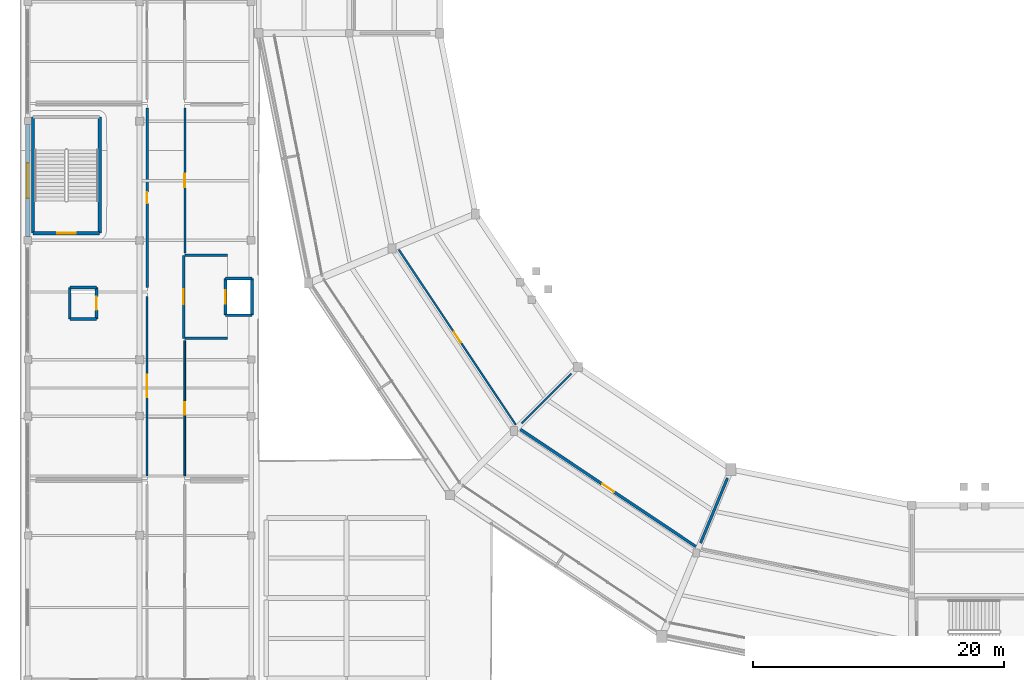
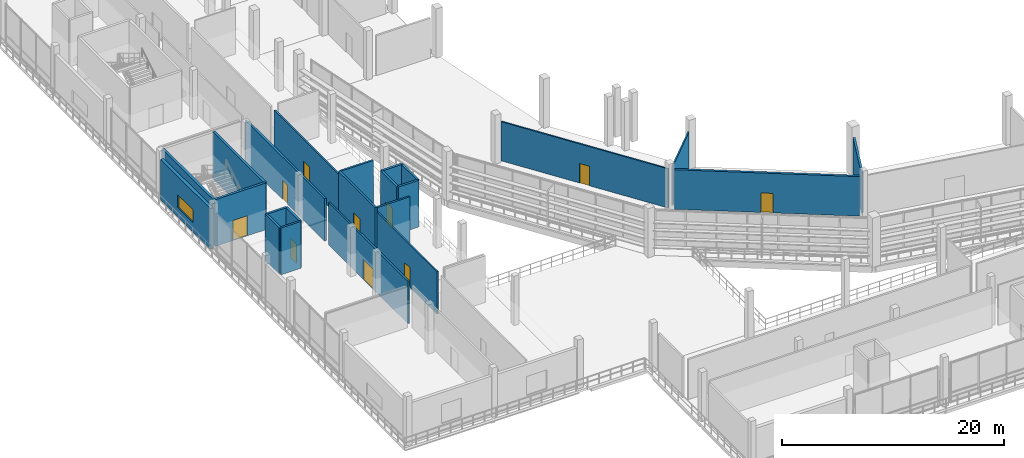
# One storey, part 70 of 111: 23 walls, 10 doors, 1 window, 11 openings.
"""IFC4 building model written with IfcOpenShell, lengths in metres."""

from ifc_helpers import new_model, si_unit, direction, frame, frame_2d, origin, place, context, subcontext, project, spatial, rectangle, extrude, material, layer, layer_set, type_object, element, fill, save


model = new_model("IFC4")

# Units and contexts
model_context = context("Model", 3, precision=1e-05, world=origin(), true_north=direction((0.0, 1.0)))
body_context = subcontext(model_context, "Body", "Model", "MODEL_VIEW")
ifc_project = project(units=[si_unit("LENGTHUNIT", "METRE"), si_unit("AREAUNIT", "SQUARE_METRE"), si_unit("VOLUMEUNIT", "CUBIC_METRE"), si_unit("PLANEANGLEUNIT", "RADIAN"), si_unit("MASSUNIT", "GRAM", prefix="KILO")], contexts=[model_context])

# Site, building, storey
site_placement = place(None, origin())
site = spatial("IfcSite", under=ifc_project, at=site_placement, CompositionType="ELEMENT")
building_placement = place(site_placement, origin())
building = spatial("IfcBuilding", under=site, at=building_placement, Name="Candeia Ridge Stadium", CompositionType="ELEMENT")
storey_placement = place(building_placement, frame((0.0, 0.0, 16.199951171875)))
storey = spatial("IfcBuildingStorey", under=building, at=storey_placement, Name="L03", CompositionType="ELEMENT", Elevation=16.199951171875)

# Wall, opening, door
ifc_material_1 = material(Name="Gypsum Acoustic Twin-Stud Assembly", Category="gypsum")
ifc_layer_1 = layer(ifc_material_1, 0.159912109375, Name="Gypsum Acoustic Twin-Stud Assembly", Category="gypsum")
ifc_layer_set_1 = layer_set([ifc_layer_1], Name="Gypsum Acoustic Twin-Stud Assembly")
wall_type_1 = type_object("IfcWallType", Name="Club Dining Acoustic Partition 160", PredefinedType="PARTITIONING", material=ifc_layer_set_1)
wall_1_placement = place(storey_placement, frame((13.10009765625, 53.489990234375, 0.0), z_axis=(0.0, 0.0, 1.0), x_axis=(0.0, 1.0, 0.0)))
wall_1 = element("IfcWall", 1, at=wall_1_placement, inside=storey, type_object=wall_type_1, Name="Interior partition PT-L03-0513", PredefinedType="PARTITIONING", context=body_context, shape_type="SweptSolid", body=[
    extrude(rectangle(XDim=11.56005859375, YDim=0.159912109375, at=frame_2d((5.780029296875, 0.0))), origin(), (0.0, 0.0, 1.0), 4.66796875),
])
opening_1_placement = place(wall_1_placement, frame((5.239990234375, 0.0, 0.0)))
opening_1 = element("IfcOpeningElement", 2, at=opening_1_placement, cuts=wall_1, Name="Opening ID08", PredefinedType="OPENING", context=body_context, shape_type="SweptSolid", body=[
    extrude(rectangle(XDim=1.080078125, YDim=2.25, at=frame_2d((0.5400390625, 1.125))), frame((0.0, 0.08984375, 0.0), z_axis=(0.0, -1.0, 0.0), x_axis=(1.0, 0.0, 0.0)), (0.0, 0.0, 1.0), 0.179931640625),
])
ifc_material_2 = material(Name="Western Red Cedar Acoustic Veneer", Category="wood")
door_type_1 = type_object("IfcDoorType", Name="Executive Skybox Entry Door 1080x2250", OperationType="NOTDEFINED", PredefinedType="DOOR", material=ifc_material_2)
door_1_placement = place(opening_1_placement, frame((1.080078125, 0.0, 0.0), z_axis=(0.0, 0.0, 1.0), x_axis=(-1.0, 0.0, 0.0)))
door_1 = element("IfcDoor", 3, at=door_1_placement, inside=storey, type_object=door_type_1, Name="Interior room door D-L03-0264", OperationType="SINGLE_SWING_RIGHT", OverallHeight=2.25, OverallWidth=1.080078125, PredefinedType="DOOR", context=body_context, shape_type="SweptSolid", body=[
    extrude(rectangle(XDim=1.080078125, YDim=2.25, at=frame_2d((0.5400390625, 1.125))), frame((0.0, 0.02490234375, 0.0), z_axis=(0.0, -1.0, 0.0), x_axis=(1.0, 0.0, 0.0)), (0.0, 0.0, 1.0), 0.050048828125),
])
fill(opening_1, door_1)

ifc_material_3 = material(Name="Concrete Masonry Blockwork C25/30", Category="masonry")
ifc_layer_2 = layer(ifc_material_3, 0.14990234375, Name="Concrete Masonry Blockwork C25/30", Category="masonry")
ifc_layer_set_2 = layer_set([ifc_layer_2], Name="Concrete Masonry Blockwork C25/30")
wall_type_2 = type_object("IfcWallType", Name="Concourse Kiosk Partition 150", PredefinedType="PARTITIONING", material=ifc_layer_set_2)
wall_2_placement = place(storey_placement, frame((13.10009765625, 35.75, 0.0), z_axis=(0.0, 0.0, 1.0), x_axis=(0.0, 1.0, 0.0)))
wall_2 = element("IfcWall", 4, at=wall_2_placement, inside=storey, type_object=wall_type_2, Name="Interior partition PT-L03-0509", PredefinedType="PARTITIONING", context=body_context, shape_type="SweptSolid", body=[
    extrude(rectangle(XDim=10.760009765625, YDim=0.14990234375, at=frame_2d((5.3798828125, 0.0))), origin(), (0.0, 0.0, 1.0), 4.66796875),
])
opening_2_placement = place(wall_2_placement, frame((4.8798828125, 0.0, 0.0)))
opening_2 = element("IfcOpeningElement", 5, at=opening_2_placement, cuts=wall_2, Name="Opening ID04", PredefinedType="OPENING", context=body_context, shape_type="SweptSolid", body=[
    extrude(rectangle(XDim=1.0, YDim=2.14990234375, at=frame_2d((0.5, 1.074951171875))), frame((0.0, 0.0849609375, 0.0), z_axis=(0.0, -1.0, 0.0), x_axis=(1.0, 0.0, 0.0)), (0.0, 0.0, 1.0), 0.169921875),
])
ifc_material_4 = material(Name="Powder-Coated Hollow Metal", Category="steel")
door_type_2 = type_object("IfcDoorType", Name="Concourse Kiosk Service Door 1000x2150", OperationType="NOTDEFINED", PredefinedType="DOOR", material=ifc_material_4)
door_2_placement = place(opening_2_placement, origin())
door_2 = element("IfcDoor", 6, at=door_2_placement, inside=storey, type_object=door_type_2, Name="Interior room door D-L03-0262", OperationType="SINGLE_SWING_RIGHT", OverallHeight=2.14990234375, OverallWidth=1.0, PredefinedType="DOOR", context=body_context, shape_type="SweptSolid", body=[
    extrude(rectangle(XDim=1.0, YDim=2.14990234375, at=frame_2d((0.5, 1.074951171875))), frame((0.0, 0.02490234375, 0.0), z_axis=(0.0, -1.0, 0.0), x_axis=(1.0, 0.0, 0.0)), (0.0, 0.0, 1.0), 0.050048828125),
])
fill(opening_2, door_2)

wall_3_placement = place(storey_placement, frame((39.465576171875, 39.8125, 0.0), z_axis=(0.0, 0.0, 1.0), x_axis=(-0.555572701103, 0.831467963177, 0.0)))
wall_3 = element("IfcWall", 7, at=wall_3_placement, inside=storey, type_object=wall_type_2, Name="Interior partition PT-L03-0587", PredefinedType="PARTITIONING", context=body_context, shape_type="SweptSolid", body=[
    extrude(rectangle(XDim=16.782958984375, YDim=0.14990234375, at=frame_2d((8.3916015625, 0.0))), origin(), (0.0, 0.0, 1.0), 4.304931640625),
])
opening_3_placement = place(wall_3_placement, frame((7.8916015625, 0.0, 0.0)))
opening_3 = element("IfcOpeningElement", 8, at=opening_3_placement, cuts=wall_3, Name="Opening ID04", PredefinedType="OPENING", context=body_context, shape_type="SweptSolid", body=[
    extrude(rectangle(XDim=1.0, YDim=2.14990234375, at=frame_2d((0.5, 1.074951171875))), frame((0.0, 0.0849609375, 0.0), z_axis=(0.0, -1.0, 0.0), x_axis=(1.0, 0.0, 0.0)), (0.0, 0.0, 1.0), 0.169921875),
])
door_3_placement = place(opening_3_placement, origin())
door_3 = element("IfcDoor", 9, at=door_3_placement, inside=storey, type_object=door_type_2, Name="Interior room door D-L03-0302", OperationType="SINGLE_SWING_RIGHT", OverallHeight=2.14990234375, OverallWidth=1.0, PredefinedType="DOOR", context=body_context, shape_type="SweptSolid", body=[
    extrude(rectangle(XDim=1.0, YDim=2.14990234375, at=frame_2d((0.5, 1.074951171875))), frame((0.0, 0.02490234375, 0.0), z_axis=(0.0, -1.0, 0.0), x_axis=(1.0, 0.0, 0.0)), (0.0, 0.0, 1.0), 0.050048828125),
])
fill(opening_3, door_3)

# Walls
ifc_material_5 = material(Name="Concrete C40/50", Category="concrete")
ifc_layer_3 = layer(ifc_material_5, 0.25, Name="Concrete C40/50", Category="concrete")
ifc_layer_set_3 = layer_set([ifc_layer_3], Name="Concrete C40/50")
wall_type_3 = type_object("IfcWallType", Name="Core Shear Wall Concrete 250", PredefinedType="SHEAR", material=ifc_layer_set_3)
for number, where, z_axis, x_axis, name in (
    (10, (6.32470703125, 55.075439453125, 0.0), (0.0, 0.0, 1.0), (0.0, 1.0, 0.0), "Core C05 left shear wall L03"),
    (11, (1.025390625, 64.32470703125, 0.0), (0.0, 0.0, 1.0), (0.0, -1.0, 0.0), "Core C05 right shear wall L03"),
):
    element("IfcWall", number, at=place(storey_placement, frame(where, z_axis=z_axis, x_axis=x_axis)), inside=storey, type_object=wall_type_3, Name=name, PredefinedType="SHEAR", context=body_context, shape_type="SweptSolid", body=[
        extrude(rectangle(XDim=9.249267578125, YDim=0.25, at=frame_2d((4.62451171875, 0.0))), origin(), (0.0, 0.0, 1.0), 5.14013671875),
    ])

# Wall, opening, door
wall_4_placement = place(storey_placement, frame((1.025390625, 55.075439453125, 0.0), z_axis=(0.0, 0.0, 1.0), x_axis=(1.0, 0.0, 0.0)))
wall_4 = element("IfcWall", 12, at=wall_4_placement, inside=storey, type_object=wall_type_3, Name="Core C05 near shear wall L03", PredefinedType="SHEAR", context=body_context, shape_type="SweptSolid", body=[
    extrude(rectangle(XDim=5.29931640625, YDim=0.25, at=frame_2d((2.649658203125, 0.0))), origin(), (0.0, 0.0, 1.0), 5.14013671875),
])
opening_4_placement = place(wall_4_placement, frame((1.899658203125, 0.0, 0.0)))
opening_4 = element("IfcOpeningElement", 13, at=opening_4_placement, cuts=wall_4, Name="Opening FD01", PredefinedType="OPENING", context=body_context, shape_type="SweptSolid", body=[
    extrude(rectangle(XDim=1.5, YDim=2.199951171875, at=frame_2d((0.75, 1.10009765625))), frame((0.0, 0.135009765625, 0.0), z_axis=(0.0, -1.0, 0.0), x_axis=(1.0, 0.0, 0.0)), (0.0, 0.0, 1.0), 0.27001953125),
])
ifc_material_6 = material(Name="Galvanized Fire-Rated Steel", Category="steel")
door_type_3 = type_object("IfcDoorType", Name="Exit Stair Core Fire Door 1500x2200", OperationType="NOTDEFINED", PredefinedType="DOOR", material=ifc_material_6)
door_4_placement = place(opening_4_placement, origin())
door_4 = element("IfcDoor", 14, at=door_4_placement, inside=storey, type_object=door_type_3, Name="Exit stair fire door SD-ST05-L03", OperationType="DOUBLE_DOOR_SINGLE_SWING", OverallHeight=2.199951171875, OverallWidth=1.5, PredefinedType="DOOR", context=body_context, shape_type="SweptSolid", body=[
    extrude(rectangle(XDim=1.5, YDim=2.199951171875, at=frame_2d((0.75, 1.10009765625))), frame((0.0, 0.02490234375, 0.0), z_axis=(0.0, -1.0, 0.0), x_axis=(1.0, 0.0, 0.0)), (0.0, 0.0, 1.0), 0.050048828125),
])
fill(opening_4, door_4)

ifc_layer_4 = layer(ifc_material_1, 0.179931640625, Name="Gypsum Acoustic Twin-Stud Assembly", Category="gypsum")
ifc_layer_set_4 = layer_set([ifc_layer_4], Name="Gypsum Acoustic Twin-Stud Assembly")
wall_type_4 = type_object("IfcWallType", Name="Corridor Fire Partition 180", PredefinedType="PARTITIONING", material=ifc_layer_set_4)
wall_5_placement = place(storey_placement, frame((10.10009765625, 50.050048828125, 0.0), z_axis=(0.0, 0.0, 1.0), x_axis=(0.0, -1.0, 0.0)))
wall_5 = element("IfcWall", 15, at=wall_5_placement, inside=storey, type_object=wall_type_4, Name="Interior partition PT-L03-0507", PredefinedType="PARTITIONING", context=body_context, shape_type="SweptSolid", body=[
    extrude(rectangle(XDim=14.300048828125, YDim=0.179931640625, at=frame_2d((7.14990234375, 0.0))), origin(), (0.0, 0.0, 1.0), 4.66796875),
])
opening_5_placement = place(wall_5_placement, frame((6.25, 0.0, 0.0)))
opening_5 = element("IfcOpeningElement", 16, at=opening_5_placement, cuts=wall_5, Name="Opening FD03", PredefinedType="OPENING", context=body_context, shape_type="SweptSolid", body=[
    extrude(rectangle(XDim=1.800048828125, YDim=2.199951171875, at=frame_2d((0.89990234375, 1.10009765625))), frame((0.0, 0.099853515625, 0.0), z_axis=(0.0, -1.0, 0.0), x_axis=(1.0, 0.0, 0.0)), (0.0, 0.0, 1.0), 0.199951171875),
])
ifc_material_7 = material(Name="Timber Fire-Rated Acoustic", Category="wood")
door_type_4 = type_object("IfcDoorType", Name="Corridor Compartment Double Door 1800x2200", OperationType="NOTDEFINED", PredefinedType="DOOR", material=ifc_material_7)
door_5_placement = place(opening_5_placement, origin())
door_5 = element("IfcDoor", 17, at=door_5_placement, inside=storey, type_object=door_type_4, Name="Interior room door D-L03-0261", OperationType="DOUBLE_DOOR_SINGLE_SWING", OverallHeight=2.199951171875, OverallWidth=1.800048828125, PredefinedType="DOOR", context=body_context, shape_type="SweptSolid", body=[
    extrude(rectangle(XDim=1.800048828125, YDim=2.199951171875, at=frame_2d((0.89990234375, 1.10009765625))), frame((0.0, 0.02490234375, 0.0), z_axis=(0.0, -1.0, 0.0), x_axis=(1.0, 0.0, 0.0)), (0.0, 0.0, 1.0), 0.050048828125),
])
fill(opening_5, door_5)

ifc_material_8 = material(Name="Moisture-Resistant Masonry & Tile", Category="masonry")
ifc_layer_5 = layer(ifc_material_8, 0.22998046875, Name="Moisture-Resistant Masonry & Tile", Category="masonry")
ifc_layer_set_5 = layer_set([ifc_layer_5], Name="Moisture-Resistant Masonry & Tile")
wall_type_5 = type_object("IfcWallType", Name="Dressing Suite Wet-Wall Chase 230", PredefinedType="PLUMBINGWALL", material=ifc_layer_set_5)
wall_6_placement = place(storey_placement, frame((53.801025390625, 30.11865234375, 0.0), z_axis=(0.0, 0.0, 1.0), x_axis=(-0.831472453136, 0.555565981388, 0.0)))
wall_6 = element("IfcWall", 18, at=wall_6_placement, inside=storey, type_object=wall_type_5, Name="Interior partition PT-L03-0589", PredefinedType="PLUMBINGWALL", context=body_context, shape_type="SweptSolid", body=[
    extrude(rectangle(XDim=16.783203125, YDim=0.22998046875, at=frame_2d((8.3916015625, 0.0))), origin(), (0.0, 0.0, 1.0), 4.344970703125),
])
opening_6_placement = place(wall_6_placement, frame((7.841552734375, 0.0, 0.0)))
opening_6 = element("IfcOpeningElement", 19, at=opening_6_placement, cuts=wall_6, Name="Opening FD04", PredefinedType="OPENING", context=body_context, shape_type="SweptSolid", body=[
    extrude(rectangle(XDim=1.10009765625, YDim=2.14990234375, at=frame_2d((0.550048828125, 1.074951171875))), frame((0.0, 0.125, 0.0), z_axis=(0.0, -1.0, 0.0), x_axis=(1.0, 0.0, 0.0)), (0.0, 0.0, 1.0), 0.25),
])
door_type_5 = type_object("IfcDoorType", Name="Plant & Riser Rated Door 1100x2150", OperationType="NOTDEFINED", PredefinedType="DOOR", material=ifc_material_6)
door_6_placement = place(opening_6_placement, frame((1.10009765625, 0.0, 0.0), z_axis=(0.0, 0.0, 1.0), x_axis=(-1.0, 0.0, 0.0)))
door_6 = element("IfcDoor", 20, at=door_6_placement, inside=storey, type_object=door_type_5, Name="Interior room door D-L03-0303", OperationType="SINGLE_SWING_LEFT", OverallHeight=2.14990234375, OverallWidth=1.10009765625, PredefinedType="DOOR", context=body_context, shape_type="SweptSolid", body=[
    extrude(rectangle(XDim=1.10009765625, YDim=2.14990234375, at=frame_2d((0.550048828125, 1.074951171875))), frame((0.0, 0.02490234375, 0.0), z_axis=(0.0, -1.0, 0.0), x_axis=(1.0, 0.0, 0.0)), (0.0, 0.0, 1.0), 0.050048828125),
])
fill(opening_6, door_6)

# Wall, opening, window
ifc_material_9 = material(Name="Concrete C35/45", Category="concrete")
ifc_layer_6 = layer(ifc_material_9, 0.320068359375, Name="Concrete C35/45", Category="concrete")
ifc_layer_set_6 = layer_set([ifc_layer_6], Name="Concrete C35/45")
wall_type_6 = type_object("IfcWallType", Name="Exterior Cedar-Clad Insulated Wall 320", PredefinedType="SOLIDWALL", material=ifc_layer_set_6)
wall_7_placement = place(storey_placement, frame((0.60009765625, 54.7880859375, 0.0), z_axis=(0.0, 0.0, 1.0), x_axis=(0.0, 1.0, 0.0)))
wall_7 = element("IfcWall", 21, at=wall_7_placement, inside=storey, type_object=wall_type_6, Name="Exterior facade wall EW-L03-0089", PredefinedType="SOLIDWALL", context=body_context, shape_type="SweptSolid", body=[
    extrude(rectangle(XDim=8.948974609375, YDim=0.320068359375, at=frame_2d((4.474609375, 0.0))), origin(), (0.0, 0.0, 1.0), 4.47509765625),
])
opening_7_placement = place(wall_7_placement, frame((3.074462890625, 0.0, 1.050048828125)))
opening_7 = element("IfcOpeningElement", 22, at=opening_7_placement, cuts=wall_7, Name="Opening W06", PredefinedType="OPENING", context=body_context, shape_type="SweptSolid", body=[
    extrude(rectangle(XDim=2.800048828125, YDim=1.39990234375, at=frame_2d((1.39990234375, 0.699951171875))), frame((0.0, 0.169921875, 0.0), z_axis=(0.0, -1.0, 0.0), x_axis=(1.0, 0.0, 0.0)), (0.0, 0.0, 1.0), 0.340087890625),
])
ifc_material_10 = material(Name="Tempered Solar-Control Double Glazing", Category="glass")
window_type = type_object("IfcWindowType", Name="Museum Clerestory Window 2800x1400", PartitioningType="SINGLE_PANEL", PredefinedType="WINDOW", material=ifc_material_10)
window_placement = place(opening_7_placement, origin())
window = element("IfcWindow", 23, at=window_placement, inside=storey, type_object=window_type, Name="Exterior window WIN-L03-042", OverallHeight=1.39990234375, OverallWidth=2.800048828125, PartitioningType="SINGLE_PANEL", PredefinedType="WINDOW", context=body_context, shape_type="SweptSolid", body=[
    extrude(rectangle(XDim=2.800048828125, YDim=1.39990234375, at=frame_2d((1.39990234375, 0.699951171875))), frame((0.0, 0.030029296875, 0.0), z_axis=(0.0, -1.0, 0.0), x_axis=(1.0, 0.0, 0.0)), (0.0, 0.0, 1.0), 0.06005859375),
])
fill(opening_7, window)

# Walls
ifc_layer_7 = layer(ifc_material_9, 0.199951171875, Name="Concrete C35/45", Category="concrete")
ifc_layer_set_7 = layer_set([ifc_layer_7], Name="Concrete C35/45")
wall_type_7 = type_object("IfcWallType", Name="Firefighting Lobby Rated Wall 200", PredefinedType="SOLIDWALL", material=ifc_layer_set_7)
for number, where, z_axis, x_axis, name in (
    (24, (13.10009765625, 46.699951171875, 0.0), (0.0, 0.0, 1.0), (1.0, 0.0, 0.0), "Firefighting lift lobby FF1 rated wall L03 south"),
    (25, (16.5, 53.300048828125, 0.0), (0.0, 0.0, 1.0), (-1.0, 0.0, 0.0), "Firefighting lift lobby FF1 rated wall L03 north"),
):
    element("IfcWall", number, at=place(storey_placement, frame(where, z_axis=z_axis, x_axis=x_axis)), inside=storey, type_object=wall_type_7, Name=name, PredefinedType="SOLIDWALL", context=body_context, shape_type="SweptSolid", body=[
        extrude(rectangle(XDim=3.39990234375, YDim=0.199951171875, at=frame_2d((1.699951171875, 0.0))), origin(), (0.0, 0.0, 1.0), 5.1201171875),
    ])

# Wall, opening, door
wall_8_placement = place(storey_placement, frame((13.0, 53.300048828125, 0.0), z_axis=(0.0, 0.0, 1.0), x_axis=(0.0, -1.0, 0.0)))
wall_8 = element("IfcWall", 26, at=wall_8_placement, inside=storey, type_object=wall_type_7, Name="Firefighting lift lobby FF1 rated wall L03 entry", PredefinedType="SOLIDWALL", context=body_context, shape_type="SweptSolid", body=[
    extrude(rectangle(XDim=6.60009765625, YDim=0.199951171875, at=frame_2d((3.300048828125, 0.0))), origin(), (0.0, 0.0, 1.0), 5.1201171875),
])
opening_8_placement = place(wall_8_placement, frame((2.699951171875, 0.0, 0.0)))
opening_8 = element("IfcOpeningElement", 27, at=opening_8_placement, cuts=wall_8, Name="Opening FD02", PredefinedType="OPENING", context=body_context, shape_type="SweptSolid", body=[
    extrude(rectangle(XDim=1.199951171875, YDim=2.199951171875, at=frame_2d((0.60009765625, 1.10009765625))), frame((0.0, 0.10986328125, 0.0), z_axis=(0.0, -1.0, 0.0), x_axis=(1.0, 0.0, 0.0)), (0.0, 0.0, 1.0), 0.219970703125),
])
door_type_6 = type_object("IfcDoorType", Name="Firefighting Lobby Fire Door 1200x2200", OperationType="NOTDEFINED", PredefinedType="DOOR", material=ifc_material_6)
door_7_placement = place(opening_8_placement, frame((1.199951171875, 0.0, 0.0), z_axis=(0.0, 0.0, 1.0), x_axis=(-1.0, 0.0, 0.0)))
door_7 = element("IfcDoor", 28, at=door_7_placement, inside=storey, type_object=door_type_6, Name="Firefighting lobby fire door FFD-FF1-L03", OperationType="SINGLE_SWING_RIGHT", OverallHeight=2.199951171875, OverallWidth=1.199951171875, PredefinedType="DOOR", context=body_context, shape_type="SweptSolid", body=[
    extrude(rectangle(XDim=1.199951171875, YDim=2.199951171875, at=frame_2d((0.60009765625, 1.10009765625))), frame((0.0, 0.02490234375, 0.0), z_axis=(0.0, -1.0, 0.0), x_axis=(1.0, 0.0, 0.0)), (0.0, 0.0, 1.0), 0.050048828125),
])
fill(opening_8, door_7)

# Walls
ifc_material_11 = material(Name="Gypsum Metal-Stud Partition", Category="gypsum")
ifc_layer_8 = layer(ifc_material_11, 0.135009765625, Name="Gypsum Metal-Stud Partition", Category="gypsum")
ifc_layer_set_8 = layer_set([ifc_layer_8], Name="Gypsum Metal-Stud Partition")
wall_type_8 = type_object("IfcWallType", Name="General Room Partition 135", PredefinedType="PARTITIONING", material=ifc_layer_set_8)
wall_9_placement = place(storey_placement, frame((43.882568359375, 43.882568359375, 0.0), z_axis=(0.0, 0.0, 1.0), x_axis=(-0.707106781187, -0.707106781187, 0.0)))
element("IfcWall", 29, at=wall_9_placement, inside=storey, type_object=wall_type_8, Name="Demising partition PT-L03-0588", PredefinedType="PARTITIONING", context=body_context, shape_type="SweptSolid", body=[
    extrude(rectangle(XDim=5.600341796875, YDim=0.135009765625, at=frame_2d((2.80029296875, 0.0))), origin(), (0.0, 0.0, 1.0), 4.344970703125),
])
ifc_layer_9 = layer(ifc_material_5, 0.219970703125, Name="Concrete C40/50", Category="concrete")
ifc_layer_set_9 = layer_set([ifc_layer_9], Name="Concrete C40/50")
wall_type_9 = type_object("IfcWallType", Name="Lift & Riser Shaft Wall 220", PredefinedType="SHEAR", material=ifc_layer_set_9)
wall_10_placement = place(storey_placement, frame((16.340087890625, 48.5400390625, 0.0), z_axis=(0.0, 0.0, 1.0), x_axis=(1.0, 0.0, 0.0)))
element("IfcWall", 30, at=wall_10_placement, inside=storey, type_object=wall_type_9, Name="Lift FF1 shaft wall L03 south", PredefinedType="SHEAR", context=body_context, shape_type="SweptSolid", body=[
    extrude(rectangle(XDim=2.119873046875, YDim=0.219970703125, at=frame_2d((1.06005859375, 0.0))), origin(), (0.0, 0.0, 1.0), 5.14013671875),
])
wall_11_placement = place(storey_placement, frame((18.4599609375, 48.5400390625, 0.0), z_axis=(0.0, 0.0, 1.0), x_axis=(0.0, 1.0, 0.0)))
element("IfcWall", 31, at=wall_11_placement, inside=storey, type_object=wall_type_9, Name="Lift FF1 shaft wall L03 east", PredefinedType="SHEAR", context=body_context, shape_type="SweptSolid", body=[
    extrude(rectangle(XDim=2.919921875, YDim=0.219970703125, at=frame_2d((1.4599609375, 0.0))), origin(), (0.0, 0.0, 1.0), 5.14013671875),
])
wall_12_placement = place(storey_placement, frame((18.4599609375, 51.4599609375, 0.0), z_axis=(0.0, 0.0, 1.0), x_axis=(-1.0, 0.0, 0.0)))
element("IfcWall", 32, at=wall_12_placement, inside=storey, type_object=wall_type_9, Name="Lift FF1 shaft wall L03 north", PredefinedType="SHEAR", context=body_context, shape_type="SweptSolid", body=[
    extrude(rectangle(XDim=2.119873046875, YDim=0.219970703125, at=frame_2d((1.06005859375, 0.0))), origin(), (0.0, 0.0, 1.0), 5.14013671875),
])

# Wall, opening, door
wall_13_placement = place(storey_placement, frame((16.340087890625, 51.4599609375, 0.0), z_axis=(0.0, 0.0, 1.0), x_axis=(0.0, -1.0, 0.0)))
wall_13 = element("IfcWall", 33, at=wall_13_placement, inside=storey, type_object=wall_type_9, Name="Lift FF1 shaft wall L03 west", PredefinedType="SHEAR", context=body_context, shape_type="SweptSolid", body=[
    extrude(rectangle(XDim=2.919921875, YDim=0.219970703125, at=frame_2d((1.4599609375, 0.0))), origin(), (0.0, 0.0, 1.0), 5.14013671875),
])
opening_9_placement = place(wall_13_placement, frame((0.909912109375, 0.0, 0.0)))
opening_9 = element("IfcOpeningElement", 34, at=opening_9_placement, cuts=wall_13, Name="Opening LD01", PredefinedType="OPENING", context=body_context, shape_type="SweptSolid", body=[
    extrude(rectangle(XDim=1.10009765625, YDim=2.199951171875, at=frame_2d((0.550048828125, 1.10009765625))), frame((0.0, 0.119873046875, 0.0), z_axis=(0.0, -1.0, 0.0), x_axis=(1.0, 0.0, 0.0)), (0.0, 0.0, 1.0), 0.239990234375),
])
ifc_material_12 = material(Name="Brushed Stainless Steel", Category="steel")
door_type_7 = type_object("IfcDoorType", Name="Firefighting Lift Landing Door 1100x2200", OperationType="NOTDEFINED", PredefinedType="DOOR", material=ifc_material_12)
door_8_placement = place(opening_9_placement, origin())
door_8 = element("IfcDoor", 35, at=door_8_placement, inside=storey, type_object=door_type_7, Name="Lift landing sliding door LD-FF1-L03", OperationType="DOUBLE_DOOR_SLIDING", OverallHeight=2.199951171875, OverallWidth=1.10009765625, PredefinedType="DOOR", context=body_context, shape_type="SweptSolid", body=[
    extrude(rectangle(XDim=1.10009765625, YDim=2.199951171875, at=frame_2d((0.550048828125, 1.10009765625))), frame((0.0, 0.02490234375, 0.0), z_axis=(0.0, -1.0, 0.0), x_axis=(1.0, 0.0, 0.0)), (0.0, 0.0, 1.0), 0.050048828125),
])
fill(opening_9, door_8)

# Wall
wall_14_placement = place(storey_placement, frame((3.93994140625, 48.239990234375, 0.0), z_axis=(0.0, 0.0, 1.0), x_axis=(1.0, 0.0, 0.0)))
element("IfcWall", 36, at=wall_14_placement, inside=storey, type_object=wall_type_9, Name="Lift VL1 shaft wall L03 south", PredefinedType="SHEAR", context=body_context, shape_type="SweptSolid", body=[
    extrude(rectangle(XDim=2.1201171875, YDim=0.219970703125, at=frame_2d((1.06005859375, 0.0))), origin(), (0.0, 0.0, 1.0), 5.14013671875),
])

# Wall, opening, door
wall_15_placement = place(storey_placement, frame((6.06005859375, 48.239990234375, 0.0), z_axis=(0.0, 0.0, 1.0), x_axis=(0.0, 1.0, 0.0)))
wall_15 = element("IfcWall", 37, at=wall_15_placement, inside=storey, type_object=wall_type_9, Name="Lift VL1 shaft wall L03 east", PredefinedType="SHEAR", context=body_context, shape_type="SweptSolid", body=[
    extrude(rectangle(XDim=2.52001953125, YDim=0.219970703125, at=frame_2d((1.260009765625, 0.0))), origin(), (0.0, 0.0, 1.0), 5.14013671875),
])
opening_10_placement = place(wall_15_placement, frame((0.735107421875, 0.0, 0.0)))
opening_10 = element("IfcOpeningElement", 38, at=opening_10_placement, cuts=wall_15, Name="Opening LD02", PredefinedType="OPENING", context=body_context, shape_type="SweptSolid", body=[
    extrude(rectangle(XDim=1.050048828125, YDim=2.14990234375, at=frame_2d((0.52490234375, 1.074951171875))), frame((0.0, 0.119873046875, 0.0), z_axis=(0.0, -1.0, 0.0), x_axis=(1.0, 0.0, 0.0)), (0.0, 0.0, 1.0), 0.239990234375),
])
door_type_8 = type_object("IfcDoorType", Name="Passenger Lift Landing Door 1050x2150", OperationType="NOTDEFINED", PredefinedType="DOOR", material=ifc_material_12)
door_9_placement = place(opening_10_placement, origin())
door_9 = element("IfcDoor", 39, at=door_9_placement, inside=storey, type_object=door_type_8, Name="Lift landing sliding door LD-VL1-L03", OperationType="DOUBLE_DOOR_SLIDING", OverallHeight=2.14990234375, OverallWidth=1.050048828125, PredefinedType="DOOR", context=body_context, shape_type="SweptSolid", body=[
    extrude(rectangle(XDim=1.050048828125, YDim=2.14990234375, at=frame_2d((0.52490234375, 1.074951171875))), frame((0.0, 0.02490234375, 0.0), z_axis=(0.0, -1.0, 0.0), x_axis=(1.0, 0.0, 0.0)), (0.0, 0.0, 1.0), 0.050048828125),
])
fill(opening_10, door_9)

# Walls
wall_16_placement = place(storey_placement, frame((6.06005859375, 50.760009765625, 0.0), z_axis=(0.0, 0.0, 1.0), x_axis=(-1.0, 0.0, 0.0)))
element("IfcWall", 40, at=wall_16_placement, inside=storey, type_object=wall_type_9, Name="Lift VL1 shaft wall L03 north", PredefinedType="SHEAR", context=body_context, shape_type="SweptSolid", body=[
    extrude(rectangle(XDim=2.1201171875, YDim=0.219970703125, at=frame_2d((1.06005859375, 0.0))), origin(), (0.0, 0.0, 1.0), 5.14013671875),
])
wall_17_placement = place(storey_placement, frame((3.93994140625, 50.760009765625, 0.0), z_axis=(0.0, 0.0, 1.0), x_axis=(0.0, -1.0, 0.0)))
element("IfcWall", 41, at=wall_17_placement, inside=storey, type_object=wall_type_9, Name="Lift VL1 shaft wall L03 west", PredefinedType="SHEAR", context=body_context, shape_type="SweptSolid", body=[
    extrude(rectangle(XDim=2.52001953125, YDim=0.219970703125, at=frame_2d((1.260009765625, 0.0))), origin(), (0.0, 0.0, 1.0), 5.14013671875),
])

# Wall, opening, door
ifc_layer_10 = layer(ifc_material_8, 0.2099609375, Name="Moisture-Resistant Masonry & Tile", Category="masonry")
ifc_layer_set_10 = layer_set([ifc_layer_10], Name="Moisture-Resistant Masonry & Tile")
wall_type_10 = type_object("IfcWallType", Name="Sanitary Wet-Wall Plumbing Chase 210", PredefinedType="PLUMBINGWALL", material=ifc_layer_set_10)
wall_18_placement = place(storey_placement, frame((10.10009765625, 65.050048828125, 0.0), z_axis=(0.0, 0.0, 1.0), x_axis=(0.0, -1.0, 0.0)))
wall_18 = element("IfcWall", 42, at=wall_18_placement, inside=storey, type_object=wall_type_10, Name="Interior partition PT-L03-0511", PredefinedType="PLUMBINGWALL", context=body_context, shape_type="SweptSolid", body=[
    extrude(rectangle(XDim=14.300048828125, YDim=0.2099609375, at=frame_2d((7.14990234375, 0.0))), origin(), (0.0, 0.0, 1.0), 4.66796875),
])
opening_11_placement = place(wall_18_placement, frame((6.699951171875, 0.0, 0.0)))
opening_11 = element("IfcOpeningElement", 43, at=opening_11_placement, cuts=wall_18, Name="Opening ID07", PredefinedType="OPENING", context=body_context, shape_type="SweptSolid", body=[
    extrude(rectangle(XDim=0.89990234375, YDim=2.10009765625, at=frame_2d((0.449951171875, 1.050048828125))), frame((0.0, 0.114990234375, 0.0), z_axis=(0.0, -1.0, 0.0), x_axis=(1.0, 0.0, 0.0)), (0.0, 0.0, 1.0), 0.22998046875),
])
ifc_material_13 = material(Name="Moisture-Resistant Laminate", Category="wood")
door_type_9 = type_object("IfcDoorType", Name="Sanitary Lobby Single Door 900x2100", OperationType="NOTDEFINED", PredefinedType="DOOR", material=ifc_material_13)
door_10_placement = place(opening_11_placement, frame((0.89990234375, 0.0, 0.0), z_axis=(0.0, 0.0, 1.0), x_axis=(-1.0, 0.0, 0.0)))
door_10 = element("IfcDoor", 44, at=door_10_placement, inside=storey, type_object=door_type_9, Name="Interior room door D-L03-0263", OperationType="SINGLE_SWING_LEFT", OverallHeight=2.10009765625, OverallWidth=0.89990234375, PredefinedType="DOOR", context=body_context, shape_type="SweptSolid", body=[
    extrude(rectangle(XDim=0.89990234375, YDim=2.10009765625, at=frame_2d((0.449951171875, 1.050048828125))), frame((0.0, 0.02490234375, 0.0), z_axis=(0.0, -1.0, 0.0), x_axis=(1.0, 0.0, 0.0)), (0.0, 0.0, 1.0), 0.050048828125),
])
fill(opening_11, door_10)

# Wall
wall_19_placement = place(storey_placement, frame((56.32421875, 35.5693359375, 0.0), z_axis=(0.0, 0.0, 1.0), x_axis=(-0.382682918336, -0.923879745429, 0.0)))
element("IfcWall", 45, at=wall_19_placement, inside=storey, type_object=wall_type_10, Name="Demising partition PT-L03-0590", PredefinedType="PLUMBINGWALL", context=body_context, shape_type="SweptSolid", body=[
    extrude(rectangle(XDim=5.60009765625, YDim=0.2099609375, at=frame_2d((2.800048828125, 0.0))), origin(), (0.0, 0.0, 1.0), 4.375),
])

save(model, "model.ifc")
